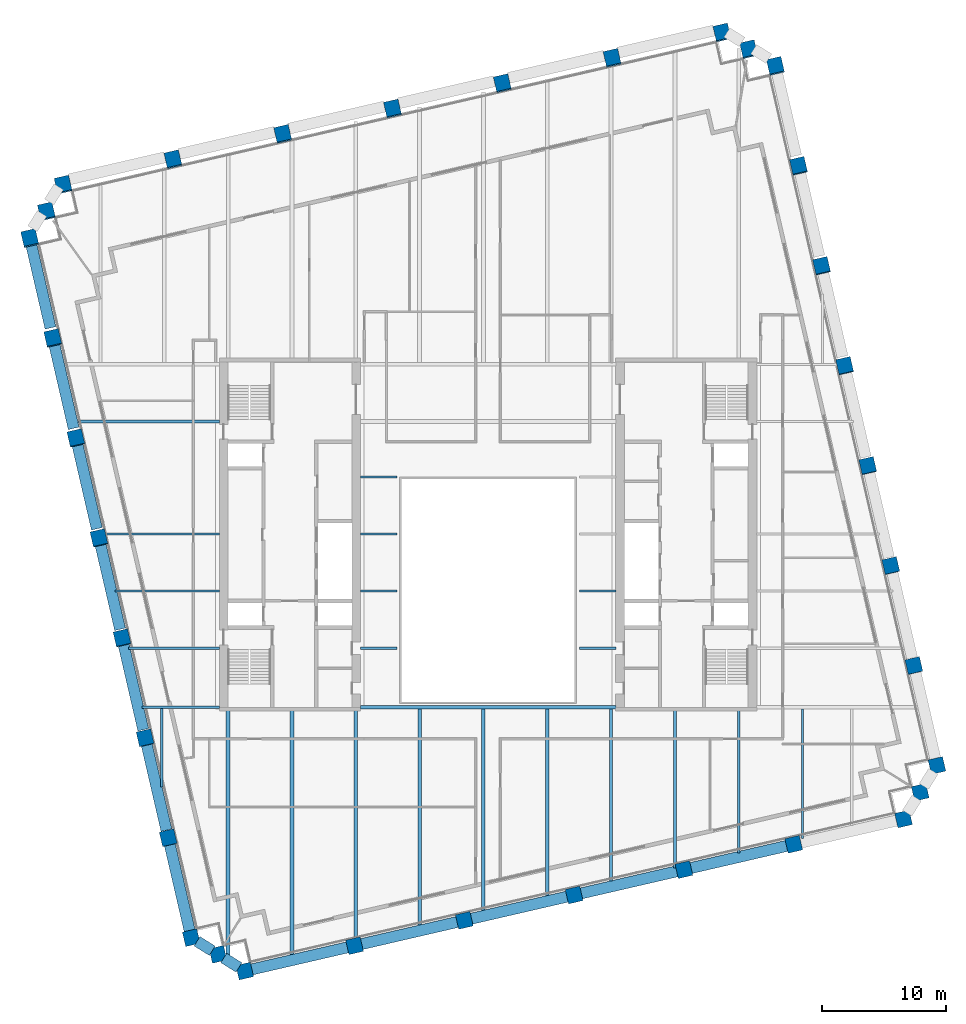
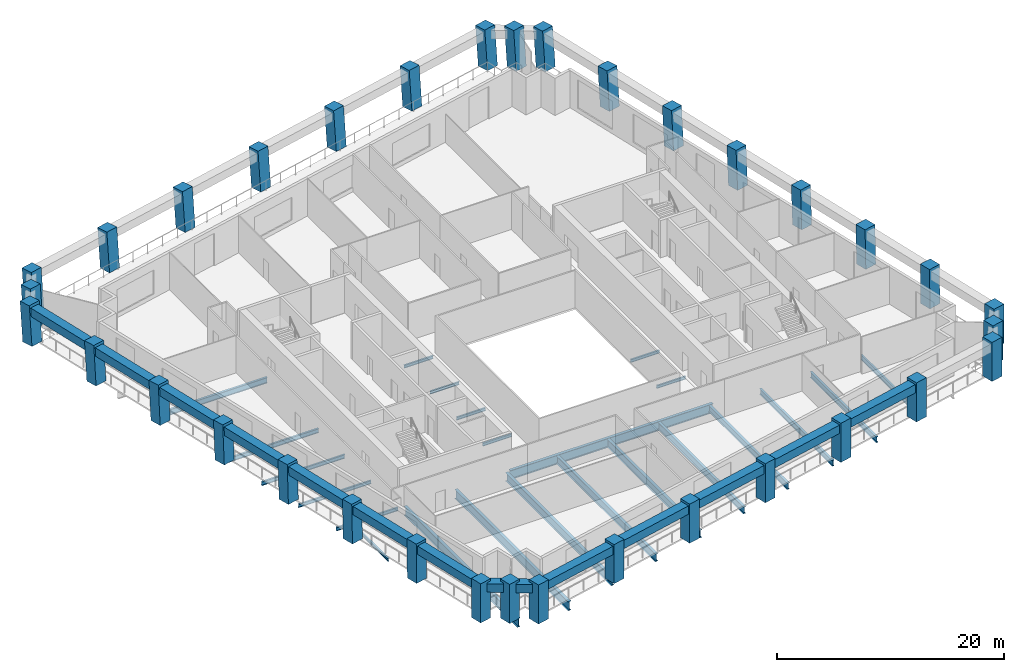
# One storey, part 1 of 10: 37 beams, 34 columns.
"""IFC4 building model written with IfcOpenShell, lengths in metres."""

from ifc_helpers import new_model, si_unit, direction, frame, origin, origin_2d, place, context, subcontext, project, spatial, rectangle, i_section, extrude, material, material_profile, profile_set, type_object, element, save


model = new_model("IFC4")

# Units and contexts
model_context = context("Model", 3, precision=1e-05, world=origin(), true_north=direction((0.0, 1.0)))
body_context = subcontext(model_context, "Body", "Model", "MODEL_VIEW")
ifc_project = project(units=[si_unit("LENGTHUNIT", "METRE"), si_unit("AREAUNIT", "SQUARE_METRE"), si_unit("VOLUMEUNIT", "CUBIC_METRE"), si_unit("PLANEANGLEUNIT", "RADIAN"), si_unit("MASSUNIT", "GRAM", prefix="KILO")], contexts=[model_context])

# Site, building, storey
site_placement = place(None, origin())
site = spatial("IfcSite", under=ifc_project, at=site_placement, CompositionType="ELEMENT")
building_placement = place(site_placement, origin())
building = spatial("IfcBuilding", under=site, at=building_placement, Name="Ogive Exchange Tower", CompositionType="ELEMENT")
storey_placement = place(building_placement, frame((0.0, 0.0, 205.199951171875)))
storey = spatial("IfcBuildingStorey", under=building, at=storey_placement, Name="L45", CompositionType="ELEMENT", Elevation=205.199951171875)

# Columns
ifc_material_1 = material(Name="Precast concrete C70/85 (limestone faced)", Category="masonry")
ifc_material_profile_1 = material_profile(ifc_material_1, rectangle(XDim=1.199951171875, YDim=1.199951171875, at=origin_2d()), Name="1200 x 1200")
ifc_profile_set_1 = profile_set([ifc_material_profile_1], Name="Precast concrete C70/85 (limestone faced)")
column_type = type_object("IfcColumnType", Name="Precast exoskeleton leg 1200 x 1200 C70/85", PredefinedType="COLUMN", material=ifc_profile_set_1)
for number, where, z_axis, x_axis, name in (
    (1, (-19.6494140625, -23.749267578125, 0.0), (0.0, 0.0, 1.0), (0.974370064785, 0.224951054344, 0.0), "Exoskeleton leg 1"),
    (2, (-10.782470703125, -21.7021484375, 0.0), (0.0, 0.0, 1.0), (0.974370064785, 0.224951054344, 0.0), "Exoskeleton leg 2"),
    (3, (-1.915771484375, -19.655029296875, 0.0), (0.0, 0.0, 1.0), (0.974370064785, 0.224951054344, 0.0), "Exoskeleton leg 3"),
    (4, (6.950927734375, -17.60791015625, 0.0), (0.0, 0.0, 1.0), (0.974370064785, 0.224951054344, 0.0), "Exoskeleton leg 4"),
    (5, (15.81787109375, -15.56103515625, 0.0), (0.0, 0.0, 1.0), (0.974370064785, 0.224951054344, 0.0), "Exoskeleton leg 5"),
    (6, (24.6845703125, -13.513916015625, 0.0), (0.0, 0.0, 1.0), (0.974370064785, 0.224951054344, 0.0), "Exoskeleton leg 6"),
    (7, (33.55126953125, -11.466796875, 0.0), (0.0, 0.0, 1.0), (0.974370064785, 0.224951054344, 0.0), "Exoskeleton leg 7"),
    (8, (36.249267578125, -7.1494140625, 0.0), (0.0, 0.0, 1.0), (0.974370064785, 0.224951054344, 0.0), "Exoskeleton leg 8"),
):
    element("IfcColumn", number, at=place(storey_placement, frame(where, z_axis=z_axis, x_axis=x_axis)), inside=storey, type_object=column_type, Name=name, PredefinedType="COLUMN", context=body_context, shape_type="SweptSolid", body=[
        extrude(rectangle(XDim=1.199951171875, YDim=1.199951171875, at=origin_2d()), origin(), (0.0, 0.0, 1.0), 4.199951171875),
    ])
column_1_placement = place(storey_placement, frame((34.3876953125, 0.9140625, 0.0), z_axis=(-0.002731884952, 0.01168316756, 0.999928017609), x_axis=(-0.973733900744, -0.227689021567, 0.0)))
element("IfcColumn", 9, at=column_1_placement, inside=storey, type_object=column_type, Name="Exoskeleton leg 9", PredefinedType="COLUMN", context=body_context, shape_type="SweptSolid", body=[
    extrude(rectangle(XDim=1.199951171875, YDim=1.199951171875, at=origin_2d()), origin(), (0.0, 0.0, 1.0), 4.2001953125),
])
column_2_placement = place(storey_placement, frame((32.526123046875, 8.977294921875, 0.0), z_axis=(-0.005404479485, 0.023361298418, 0.999712479335), x_axis=(-0.974268511785, -0.225390476607, 0.0)))
element("IfcColumn", 10, at=column_2_placement, inside=storey, type_object=column_type, Name="Exoskeleton leg 10", PredefinedType="COLUMN", context=body_context, shape_type="SweptSolid", body=[
    extrude(rectangle(XDim=1.199951171875, YDim=1.199951171875, at=origin_2d()), origin(), (0.0, 0.0, 1.0), 4.201171875),
])
column_3_placement = place(storey_placement, frame((30.66455078125, 17.04052734375, 0.0), z_axis=(-0.0080747472, 0.035087390713, 0.999351626541), x_axis=(-0.974526982896, -0.224270282488, 0.0)))
element("IfcColumn", 11, at=column_3_placement, inside=storey, type_object=column_type, Name="Exoskeleton leg 11", PredefinedType="COLUMN", context=body_context, shape_type="SweptSolid", body=[
    extrude(rectangle(XDim=1.199951171875, YDim=1.199951171875, at=origin_2d()), origin(), (0.0, 0.0, 1.0), 4.20263671875),
])
column_4_placement = place(storey_placement, frame((28.802978515625, 25.10400390625, 0.0), z_axis=(-0.010799648955, 0.046682353548, 0.998851403087), x_axis=(-0.974268511785, -0.225390476607, 0.0)))
element("IfcColumn", 12, at=column_4_placement, inside=storey, type_object=column_type, Name="Exoskeleton leg 12", PredefinedType="COLUMN", context=body_context, shape_type="SweptSolid", body=[
    extrude(rectangle(XDim=1.199951171875, YDim=1.199951171875, at=origin_2d()), origin(), (0.0, 0.0, 1.0), 4.204833984375),
])
column_5_placement = place(storey_placement, frame((26.94140625, 33.1669921875, 0.0), z_axis=(-0.013461754246, 0.058430976405, 0.998200682312), x_axis=(-0.974472679268, -0.224506118759, 0.0)))
element("IfcColumn", 13, at=column_5_placement, inside=storey, type_object=column_type, Name="Exoskeleton leg 13", PredefinedType="COLUMN", context=body_context, shape_type="SweptSolid", body=[
    extrude(rectangle(XDim=1.199951171875, YDim=1.199951171875, at=origin_2d()), origin(), (0.0, 0.0, 1.0), 4.20751953125),
])
column_6_placement = place(storey_placement, frame((25.079833984375, 41.23046875, 0.0), z_axis=(-0.016176212764, 0.069980963462, 0.99741716192), x_axis=(-0.974309502923, -0.225213215672, 0.0)))
element("IfcColumn", 14, at=column_6_placement, inside=storey, type_object=column_type, Name="Exoskeleton leg 14", PredefinedType="COLUMN", context=body_context, shape_type="SweptSolid", body=[
    extrude(rectangle(XDim=1.199951171875, YDim=1.199951171875, at=origin_2d()), origin(), (0.0, 0.0, 1.0), 4.2109375),
])
for number, where, z_axis, x_axis, name in (
    (15, (23.21826171875, 49.293701171875, 0.0), (-0.018825666958, 0.081616506903, 0.99648599592), (-0.974414501624, -0.224758490439, 0.0), "Exoskeleton leg 15"),
    (16, (18.900634765625, 51.99169921875, 0.0), (-0.018825755928, 0.08155896722, 0.996490705315), (-0.974379530941, -0.22491004798, 0.0), "Exoskeleton leg 16"),
    (17, (10.033935546875, 49.944580078125, 0.0), (-0.018825666958, 0.081616506903, 0.99648599592), (-0.974414501624, -0.224758490439, 0.0), "Exoskeleton leg 17"),
    (18, (1.167236328125, 47.8974609375, 0.0), (-0.018825666958, 0.081616506903, 0.99648599592), (-0.974414501624, -0.224758490439, 0.0), "Exoskeleton leg 18"),
    (19, (-7.69970703125, 45.8505859375, 0.0), (-0.018825755928, 0.08155896722, 0.996490705315), (-0.974379530941, -0.22491004798, 0.0), "Exoskeleton leg 19"),
    (20, (-16.56640625, 43.803466796875, 0.0), (-0.018825755928, 0.08155896722, 0.996490705315), (-0.974379530941, -0.22491004798, 0.0), "Exoskeleton leg 20"),
    (21, (-25.43310546875, 41.75634765625, 0.0), (-0.018825666958, 0.081616506903, 0.99648599592), (-0.974414501624, -0.224758490439, 0.0), "Exoskeleton leg 21"),
    (22, (-34.2998046875, 39.709228515625, 0.0), (-0.018883571463, 0.081616417765, 0.996484907603), (-0.974262845894, -0.225414966474, 0.0), "Exoskeleton leg 22"),
    (23, (-36.997802734375, 35.391845703125, 0.0), (-0.018825755928, 0.08155896722, 0.996490705315), (-0.974379530941, -0.22491004798, 0.0), "Exoskeleton leg 23"),
):
    element("IfcColumn", number, at=place(storey_placement, frame(where, z_axis=z_axis, x_axis=x_axis)), inside=storey, type_object=column_type, Name=name, PredefinedType="COLUMN", context=body_context, shape_type="SweptSolid", body=[
        extrude(rectangle(XDim=1.199951171875, YDim=1.199951171875, at=origin_2d()), origin(), (0.0, 0.0, 1.0), 4.21484375),
    ])
column_7_placement = place(storey_placement, frame((-35.13623046875, 27.32861328125, 0.0), z_axis=(-0.016176212764, 0.069980963462, 0.99741716192), x_axis=(-0.974309502923, -0.225213215672, 0.0)))
element("IfcColumn", 24, at=column_7_placement, inside=storey, type_object=column_type, Name="Exoskeleton leg 24", PredefinedType="COLUMN", context=body_context, shape_type="SweptSolid", body=[
    extrude(rectangle(XDim=1.199951171875, YDim=1.199951171875, at=origin_2d()), origin(), (0.0, 0.0, 1.0), 4.2109375),
])
column_8_placement = place(storey_placement, frame((-33.274658203125, 19.26513671875, 0.0), z_axis=(-0.013461799865, 0.058373149415, 0.998204064995), x_axis=(-0.974423835271, -0.224718021653, 0.0)))
element("IfcColumn", 25, at=column_8_placement, inside=storey, type_object=column_type, Name="Exoskeleton leg 25", PredefinedType="COLUMN", context=body_context, shape_type="SweptSolid", body=[
    extrude(rectangle(XDim=1.199951171875, YDim=1.199951171875, at=origin_2d()), origin(), (0.0, 0.0, 1.0), 4.20751953125),
])
column_9_placement = place(storey_placement, frame((-31.4130859375, 11.201904296875, 0.0), z_axis=(-0.010799619665, 0.046740289408, 0.998848694028), x_axis=(-0.974329962248, -0.225124686929, 0.0)))
element("IfcColumn", 26, at=column_9_placement, inside=storey, type_object=column_type, Name="Exoskeleton leg 26", PredefinedType="COLUMN", context=body_context, shape_type="SweptSolid", body=[
    extrude(rectangle(XDim=1.199951171875, YDim=1.199951171875, at=origin_2d()), origin(), (0.0, 0.0, 1.0), 4.204833984375),
])
column_10_placement = place(storey_placement, frame((-29.551513671875, 3.138671875, 0.0), z_axis=(-0.008132851642, 0.035029353857, 0.999353191366), x_axis=(-0.974090845759, -0.226157078617, 0.0)))
element("IfcColumn", 27, at=column_10_placement, inside=storey, type_object=column_type, Name="Exoskeleton leg 27", PredefinedType="COLUMN", context=body_context, shape_type="SweptSolid", body=[
    extrude(rectangle(XDim=1.199951171875, YDim=1.199951171875, at=origin_2d()), origin(), (0.0, 0.0, 1.0), 4.20263671875),
])
column_11_placement = place(storey_placement, frame((-27.68994140625, -4.9248046875, 0.0), z_axis=(-0.005404472139, 0.023419379268, 0.999711120452), x_axis=(-0.974391195695, -0.224859506699, 0.0)))
element("IfcColumn", 28, at=column_11_placement, inside=storey, type_object=column_type, Name="Exoskeleton leg 28", PredefinedType="COLUMN", context=body_context, shape_type="SweptSolid", body=[
    extrude(rectangle(XDim=1.199951171875, YDim=1.199951171875, at=origin_2d()), origin(), (0.0, 0.0, 1.0), 4.201171875),
])
column_12_placement = place(storey_placement, frame((-25.828369140625, -12.988037109375, 0.0), z_axis=(-0.002731884952, 0.01168316756, 0.999928017609), x_axis=(-0.973733900744, -0.227689021567, 0.0)))
element("IfcColumn", 29, at=column_12_placement, inside=storey, type_object=column_type, Name="Exoskeleton leg 29", PredefinedType="COLUMN", context=body_context, shape_type="SweptSolid", body=[
    extrude(rectangle(XDim=1.199951171875, YDim=1.199951171875, at=origin_2d()), origin(), (0.0, 0.0, 1.0), 4.2001953125),
])
for number, where, z_axis, x_axis, name in (
    (30, (-23.966796875, -21.05126953125, 0.0), (0.0, 0.0, 1.0), (0.974370064785, 0.224951054344, 0.0), "Exoskeleton leg 30"),
    (31, (34.900146484375, -9.30810546875, 0.0), (0.0, 0.0, 1.0), (0.974370064785, 0.224951054344, 0.0), "Exoskeleton leg 31"),
):
    element("IfcColumn", number, at=place(storey_placement, frame(where, z_axis=z_axis, x_axis=x_axis)), inside=storey, type_object=column_type, Name=name, PredefinedType="COLUMN", context=body_context, shape_type="SweptSolid", body=[
        extrude(rectangle(XDim=1.199951171875, YDim=1.199951171875, at=origin_2d()), origin(), (0.0, 0.0, 1.0), 4.199951171875),
    ])
for number, where, z_axis, x_axis, name in (
    (32, (21.0595703125, 50.642578125, 0.0), (-0.018883571463, 0.081616417765, 0.996484907603), (-0.974262845894, -0.225414966474, 0.0), "Exoskeleton leg 32"),
    (33, (-35.648681640625, 37.550537109375, 0.0), (-0.018883660707, 0.081558878144, 0.996489616983), (-0.974227676113, -0.225566919327, 0.0), "Exoskeleton leg 33"),
):
    element("IfcColumn", number, at=place(storey_placement, frame(where, z_axis=z_axis, x_axis=x_axis)), inside=storey, type_object=column_type, Name=name, PredefinedType="COLUMN", context=body_context, shape_type="SweptSolid", body=[
        extrude(rectangle(XDim=1.199951171875, YDim=1.199951171875, at=origin_2d()), origin(), (0.0, 0.0, 1.0), 4.21484375),
    ])
column_13_placement = place(storey_placement, frame((-21.80810546875, -22.400146484375, 0.0), z_axis=(0.0, 0.0, 1.0), x_axis=(0.974370064785, 0.224951054344, 0.0)))
element("IfcColumn", 34, at=column_13_placement, inside=storey, type_object=column_type, Name="Exoskeleton leg 34", PredefinedType="COLUMN", context=body_context, shape_type="SweptSolid", body=[
    extrude(rectangle(XDim=1.199951171875, YDim=1.199951171875, at=origin_2d()), origin(), (0.0, 0.0, 1.0), 4.199951171875),
])

# Beams
ifc_material_2 = material(Name="Steel ASTM A992 Gr50", Category="steel")
ifc_material_profile_2 = material_profile(ifc_material_2, i_section(OverallWidth=0.300048828125, OverallDepth=0.969970703125, WebThickness=0.01611328125, FlangeThickness=0.02099609375, at=origin_2d()), Name="W1000x222")
ifc_profile_set_2 = profile_set([ifc_material_profile_2], Name="Steel ASTM A992 Gr50")
beam_type_1 = type_object("IfcBeamType", Name="Floor beam W1000x222", PredefinedType="JOIST", material=ifc_profile_set_2)
beam_1_placement = place(storey_placement, frame((-20.99365234375, -22.528564453125, -0.68505859375), z_axis=(0.0, 1.0, 0.0), x_axis=(-1.0, 0.0, 0.0)))
element("IfcBeam", 35, at=beam_1_placement, inside=storey, type_object=beam_type_1, Name="Floor beam", PredefinedType="JOIST", context=body_context, shape_type="SweptSolid", body=[
    extrude(i_section(OverallWidth=0.300048828125, OverallDepth=0.969970703125, WebThickness=0.01611328125, FlangeThickness=0.02099609375, at=origin_2d()), origin(), (0.0, 0.0, 1.0), 19.928466796875),
])
beam_2_placement = place(storey_placement, frame((-15.8388671875, -22.5576171875, -0.68505859375), z_axis=(0.0, 1.0, 0.0), x_axis=(-1.0, 0.0, 0.0)))
element("IfcBeam", 36, at=beam_2_placement, inside=storey, type_object=beam_type_1, Name="Floor beam", PredefinedType="JOIST", context=body_context, shape_type="SweptSolid", body=[
    extrude(i_section(OverallWidth=0.300048828125, OverallDepth=0.969970703125, WebThickness=0.01611328125, FlangeThickness=0.02099609375, at=origin_2d()), origin(), (0.0, 0.0, 1.0), 19.95751953125),
])
ifc_material_profile_3 = material_profile(ifc_material_2, i_section(OverallWidth=0.1650390625, OverallDepth=0.31005859375, WebThickness=0.005859375, FlangeThickness=0.009765625, at=origin_2d()), Name="W310x38.7")
ifc_profile_set_3 = profile_set([ifc_material_profile_3], Name="Steel ASTM A992 Gr50")
beam_type_2 = type_object("IfcBeamType", Name="Floor beam W310x38.7", PredefinedType="JOIST", material=ifc_profile_set_3)
for number, where, z_axis, x_axis, name in (
    (37, (-10.320068359375, 2.3212890625, -0.35498046875), (1.0, 0.0, 0.0), (0.0, 1.0, 0.0), "Floor beam"),
    (38, (7.3701171875, 2.3212890625, -0.35498046875), (1.0, 0.0, 0.0), (0.0, 1.0, 0.0), "Floor beam"),
    (39, (-10.320068359375, 6.9326171875, -0.35498046875), (1.0, 0.0, 0.0), (0.0, 1.0, 0.0), "Floor beam"),
    (40, (7.3701171875, 6.9326171875, -0.35498046875), (1.0, 0.0, 0.0), (0.0, 1.0, 0.0), "Floor beam"),
    (41, (-10.320068359375, 11.543701171875, -0.35498046875), (1.0, 0.0, 0.0), (0.0, 1.0, 0.0), "Floor beam"),
):
    element("IfcBeam", number, at=place(storey_placement, frame(where, z_axis=z_axis, x_axis=x_axis)), inside=storey, type_object=beam_type_2, Name=name, PredefinedType="JOIST", context=body_context, shape_type="SweptSolid", body=[
        extrude(i_section(OverallWidth=0.1650390625, OverallDepth=0.31005859375, WebThickness=0.005859375, FlangeThickness=0.009765625, at=origin_2d()), origin(), (0.0, 0.0, 1.0), 2.949951171875),
    ])
beam_3_placement = place(storey_placement, frame((-26.348388671875, -8.88525390625, -0.35498046875), z_axis=(0.0, 1.0, 0.0), x_axis=(-1.0, 0.0, 0.0)))
element("IfcBeam", 42, at=beam_3_placement, inside=storey, type_object=beam_type_2, Name="Floor beam", PredefinedType="JOIST", context=body_context, shape_type="SweptSolid", body=[
    extrude(i_section(OverallWidth=0.1650390625, OverallDepth=0.31005859375, WebThickness=0.005859375, FlangeThickness=0.009765625, at=origin_2d()), origin(), (0.0, 0.0, 1.0), 6.354736328125),
])
ifc_material_profile_4 = material_profile(ifc_material_2, i_section(OverallWidth=0.1708984375, OverallDepth=0.35595703125, WebThickness=0.00732421875, FlangeThickness=0.01171875, at=origin_2d()), Name="W360x51")
ifc_profile_set_4 = profile_set([ifc_material_profile_4], Name="Steel ASTM A992 Gr50")
beam_type_3 = type_object("IfcBeamType", Name="Floor beam W360x51", PredefinedType="JOIST", material=ifc_profile_set_4)
beam_4_placement = place(storey_placement, frame((-29.051025390625, 2.3212890625, -0.3779296875), z_axis=(1.0, 0.0, 0.0), x_axis=(0.0, 1.0, 0.0)))
element("IfcBeam", 43, at=beam_4_placement, inside=storey, type_object=beam_type_3, Name="Floor beam", PredefinedType="JOIST", context=body_context, shape_type="SweptSolid", body=[
    extrude(i_section(OverallWidth=0.1708984375, OverallDepth=0.35595703125, WebThickness=0.00732421875, FlangeThickness=0.01171875, at=origin_2d()), origin(), (0.0, 0.0, 1.0), 7.37109375),
])
ifc_material_profile_5 = material_profile(ifc_material_2, i_section(OverallWidth=0.177978515625, OverallDepth=0.406005859375, WebThickness=0.0078125, FlangeThickness=0.0126953125, at=origin_2d()), Name="W410x60")
ifc_profile_set_5 = profile_set([ifc_material_profile_5], Name="Steel ASTM A992 Gr50")
beam_type_4 = type_object("IfcBeamType", Name="Floor beam W410x60", PredefinedType="JOIST", material=ifc_profile_set_5)
beam_5_placement = place(storey_placement, frame((-30.115478515625, 6.9326171875, -0.40283203125), z_axis=(1.0, 0.0, 0.0), x_axis=(0.0, 1.0, 0.0)))
element("IfcBeam", 44, at=beam_5_placement, inside=storey, type_object=beam_type_4, Name="Floor beam", PredefinedType="JOIST", context=body_context, shape_type="SweptSolid", body=[
    extrude(i_section(OverallWidth=0.177978515625, OverallDepth=0.406005859375, WebThickness=0.0078125, FlangeThickness=0.0126953125, at=origin_2d()), origin(), (0.0, 0.0, 1.0), 8.435546875),
])
ifc_material_profile_6 = material_profile(ifc_material_2, i_section(OverallWidth=0.19091796875, OverallDepth=0.45703125, WebThickness=0.009033203125, FlangeThickness=0.014404296875, at=origin_2d()), Name="W460x74")
ifc_profile_set_6 = profile_set([ifc_material_profile_6], Name="Steel ASTM A992 Gr50")
beam_type_5 = type_object("IfcBeamType", Name="Floor beam W460x74", PredefinedType="JOIST", material=ifc_profile_set_6)
beam_6_placement = place(storey_placement, frame((-31.0302734375, 11.543701171875, -0.428466796875), z_axis=(1.0, 0.0, 0.0), x_axis=(0.0, 1.0, 0.0)))
element("IfcBeam", 45, at=beam_6_placement, inside=storey, type_object=beam_type_5, Name="Floor beam", PredefinedType="JOIST", context=body_context, shape_type="SweptSolid", body=[
    extrude(i_section(OverallWidth=0.19091796875, OverallDepth=0.45703125, WebThickness=0.009033203125, FlangeThickness=0.014404296875, at=origin_2d()), origin(), (0.0, 0.0, 1.0), 9.350341796875),
])
ifc_material_profile_7 = material_profile(ifc_material_2, i_section(OverallWidth=0.1669921875, OverallDepth=0.535888671875, WebThickness=0.01025390625, FlangeThickness=0.0166015625, at=origin_2d()), Name="W530x85")
ifc_profile_set_7 = profile_set([ifc_material_profile_7], Name="Steel ASTM A992 Gr50")
beam_type_6 = type_object("IfcBeamType", Name="Floor beam W530x85", PredefinedType="JOIST", material=ifc_profile_set_7)
beam_7_placement = place(storey_placement, frame((25.39990234375, -13.037109375, -0.468017578125), z_axis=(0.0, 1.0, 0.0), x_axis=(-1.0, 0.0, 0.0)))
element("IfcBeam", 46, at=beam_7_placement, inside=storey, type_object=beam_type_6, Name="Floor beam", PredefinedType="JOIST", context=body_context, shape_type="SweptSolid", body=[
    extrude(i_section(OverallWidth=0.1669921875, OverallDepth=0.535888671875, WebThickness=0.01025390625, FlangeThickness=0.0166015625, at=origin_2d()), origin(), (0.0, 0.0, 1.0), 10.45849609375),
])
ifc_material_profile_8 = material_profile(ifc_material_2, i_section(OverallWidth=0.22802734375, OverallDepth=0.60205078125, WebThickness=0.010498046875, FlangeThickness=0.014892578125, at=origin_2d()), Name="W610x101")
ifc_profile_set_8 = profile_set([ifc_material_profile_8], Name="Steel ASTM A992 Gr50")
beam_type_7 = type_object("IfcBeamType", Name="Floor beam W610x101", PredefinedType="JOIST", material=ifc_profile_set_8)
beam_8_placement = place(storey_placement, frame((-33.126220703125, 20.62255859375, -0.5009765625), z_axis=(1.0, 0.0, 0.0), x_axis=(0.0, 1.0, 0.0)))
element("IfcBeam", 47, at=beam_8_placement, inside=storey, type_object=beam_type_7, Name="Floor beam", PredefinedType="JOIST", context=body_context, shape_type="SweptSolid", body=[
    extrude(i_section(OverallWidth=0.22802734375, OverallDepth=0.60205078125, WebThickness=0.010498046875, FlangeThickness=0.014892578125, at=origin_2d()), origin(), (0.0, 0.0, 1.0), 11.4462890625),
])
beam_9_placement = place(storey_placement, frame((20.2451171875, -14.22705078125, -0.5009765625), z_axis=(0.0, 1.0, 0.0), x_axis=(-1.0, 0.0, 0.0)))
element("IfcBeam", 48, at=beam_9_placement, inside=storey, type_object=beam_type_7, Name="Floor beam", PredefinedType="JOIST", context=body_context, shape_type="SweptSolid", body=[
    extrude(i_section(OverallWidth=0.22802734375, OverallDepth=0.60205078125, WebThickness=0.010498046875, FlangeThickness=0.014892578125, at=origin_2d()), origin(), (0.0, 0.0, 1.0), 11.626953125),
])
ifc_material_profile_9 = material_profile(ifc_material_2, i_section(OverallWidth=0.22900390625, OverallDepth=0.612060546875, WebThickness=0.011962890625, FlangeThickness=0.01953125, at=origin_2d()), Name="W610x125")
ifc_profile_set_9 = profile_set([ifc_material_profile_9], Name="Steel ASTM A992 Gr50")
beam_type_8 = type_object("IfcBeamType", Name="Floor beam W610x125", PredefinedType="JOIST", material=ifc_profile_set_9)
beam_10_placement = place(storey_placement, frame((15.090087890625, -15.4169921875, -0.505859375), z_axis=(0.0, 1.0, 0.0), x_axis=(-1.0, 0.0, 0.0)))
element("IfcBeam", 49, at=beam_10_placement, inside=storey, type_object=beam_type_8, Name="Floor beam", PredefinedType="JOIST", context=body_context, shape_type="SweptSolid", body=[
    extrude(i_section(OverallWidth=0.22900390625, OverallDepth=0.612060546875, WebThickness=0.011962890625, FlangeThickness=0.01953125, at=origin_2d()), origin(), (0.0, 0.0, 1.0), 12.81689453125),
])
ifc_material_profile_10 = material_profile(ifc_material_2, i_section(OverallWidth=0.25390625, OverallDepth=0.677978515625, WebThickness=0.01171875, FlangeThickness=0.016357421875, at=origin_2d()), Name="W690x125")
ifc_profile_set_10 = profile_set([ifc_material_profile_10], Name="Steel ASTM A992 Gr50")
beam_type_9 = type_object("IfcBeamType", Name="Floor beam W690x125", PredefinedType="JOIST", material=ifc_profile_set_10)
beam_11_placement = place(storey_placement, frame((9.935302734375, -16.457275390625, -0.5390625), z_axis=(0.0, 1.0, 0.0), x_axis=(-1.0, 0.0, 0.0)))
element("IfcBeam", 50, at=beam_11_placement, inside=storey, type_object=beam_type_9, Name="Floor beam", PredefinedType="JOIST", context=body_context, shape_type="SweptSolid", body=[
    extrude(i_section(OverallWidth=0.25390625, OverallDepth=0.677978515625, WebThickness=0.01171875, FlangeThickness=0.016357421875, at=origin_2d()), origin(), (0.0, 0.0, 1.0), 13.8623046875),
])
ifc_material_profile_11 = material_profile(ifc_material_2, i_section(OverallWidth=0.26708984375, OverallDepth=0.75390625, WebThickness=0.01318359375, FlangeThickness=0.01708984375, at=origin_2d()), Name="W760x147")
ifc_profile_set_11 = profile_set([ifc_material_profile_11], Name="Steel ASTM A992 Gr50")
beam_type_10 = type_object("IfcBeamType", Name="Floor beam W760x147", PredefinedType="JOIST", material=ifc_profile_set_11)
beam_12_placement = place(storey_placement, frame((4.780517578125, -17.647216796875, -0.576904296875), z_axis=(0.0, 1.0, 0.0), x_axis=(-1.0, 0.0, 0.0)))
element("IfcBeam", 51, at=beam_12_placement, inside=storey, type_object=beam_type_10, Name="Floor beam", PredefinedType="JOIST", context=body_context, shape_type="SweptSolid", body=[
    extrude(i_section(OverallWidth=0.26708984375, OverallDepth=0.75390625, WebThickness=0.01318359375, FlangeThickness=0.01708984375, at=origin_2d()), origin(), (0.0, 0.0, 1.0), 15.05224609375),
])
ifc_material_profile_12 = material_profile(ifc_material_2, i_section(OverallWidth=0.2919921875, OverallDepth=0.8359375, WebThickness=0.013916015625, FlangeThickness=0.018798828125, at=origin_2d()), Name="W840x176")
ifc_profile_set_12 = profile_set([ifc_material_profile_12], Name="Steel ASTM A992 Gr50")
beam_type_11 = type_object("IfcBeamType", Name="Floor beam W840x176", PredefinedType="JOIST", material=ifc_profile_set_12)
beam_13_placement = place(storey_placement, frame((-5.529052734375, -20.027587890625, -0.617919921875), z_axis=(0.0, 1.0, 0.0), x_axis=(-1.0, 0.0, 0.0)))
element("IfcBeam", 52, at=beam_13_placement, inside=storey, type_object=beam_type_11, Name="Floor beam", PredefinedType="JOIST", context=body_context, shape_type="SweptSolid", body=[
    extrude(i_section(OverallWidth=0.2919921875, OverallDepth=0.8359375, WebThickness=0.013916015625, FlangeThickness=0.018798828125, at=origin_2d()), origin(), (0.0, 0.0, 1.0), 17.4326171875),
])
beam_14_placement = place(storey_placement, frame((-0.374267578125, -18.83740234375, -0.617919921875), z_axis=(0.0, 1.0, 0.0), x_axis=(-1.0, 0.0, 0.0)))
element("IfcBeam", 53, at=beam_14_placement, inside=storey, type_object=beam_type_11, Name="Floor beam", PredefinedType="JOIST", context=body_context, shape_type="SweptSolid", body=[
    extrude(i_section(OverallWidth=0.2919921875, OverallDepth=0.8359375, WebThickness=0.013916015625, FlangeThickness=0.018798828125, at=origin_2d()), origin(), (0.0, 0.0, 1.0), 16.242431640625),
])
ifc_material_profile_13 = material_profile(ifc_material_2, i_section(OverallWidth=0.304931640625, OverallDepth=0.904052734375, WebThickness=0.01513671875, FlangeThickness=0.02001953125, at=origin_2d()), Name="W920x201")
ifc_profile_set_13 = profile_set([ifc_material_profile_13], Name="Steel ASTM A992 Gr50")
beam_type_12 = type_object("IfcBeamType", Name="Floor beam W920x201", PredefinedType="JOIST", material=ifc_profile_set_13)
beam_15_placement = place(storey_placement, frame((-10.683837890625, -21.217529296875, -0.65185546875), z_axis=(0.0, 1.0, 0.0), x_axis=(-1.0, 0.0, 0.0)))
element("IfcBeam", 54, at=beam_15_placement, inside=storey, type_object=beam_type_12, Name="Floor beam", PredefinedType="JOIST", context=body_context, shape_type="SweptSolid", body=[
    extrude(i_section(OverallWidth=0.304931640625, OverallDepth=0.904052734375, WebThickness=0.01513671875, FlangeThickness=0.02001953125, at=origin_2d()), origin(), (0.0, 0.0, 1.0), 18.617431640625),
])
ifc_material_profile_14 = material_profile(ifc_material_2, i_section(OverallWidth=0.300048828125, OverallDepth=0.97998046875, WebThickness=0.0166015625, FlangeThickness=0.026123046875, at=origin_2d()), Name="W1000x249")
ifc_profile_set_14 = profile_set([ifc_material_profile_14], Name="Steel ASTM A992 Gr50")
beam_type_13 = type_object("IfcBeamType", Name="Girder W1000x249", PredefinedType="BEAM", material=ifc_profile_set_14)
beam_16_placement = place(storey_placement, frame((-10.320068359375, -2.445068359375, -0.68994140625), z_axis=(1.0, 0.0, 0.0), x_axis=(0.0, 1.0, 0.0)))
element("IfcBeam", 55, at=beam_16_placement, inside=storey, type_object=beam_type_13, Name="Header girder", PredefinedType="BEAM", context=body_context, shape_type="SweptSolid", body=[
    extrude(i_section(OverallWidth=0.300048828125, OverallDepth=0.97998046875, WebThickness=0.0166015625, FlangeThickness=0.026123046875, at=origin_2d()), origin(), (0.0, 0.0, 1.0), 20.64013671875),
])
ifc_material_profile_15 = material_profile(ifc_material_2, i_section(OverallWidth=0.1650390625, OverallDepth=0.31005859375, WebThickness=0.005859375, FlangeThickness=0.009765625, at=origin_2d()), Name="W310x38.7")
ifc_profile_set_15 = profile_set([ifc_material_profile_15], Name="Steel ASTM A992 Gr50")
beam_type_14 = type_object("IfcBeamType", Name="Girder W310x38.7", PredefinedType="BEAM", material=ifc_profile_set_15)
beam_17_placement = place(storey_placement, frame((-10.320068359375, 16.155029296875, -0.35498046875), z_axis=(1.0, 0.0, 0.0), x_axis=(0.0, 1.0, 0.0)))
element("IfcBeam", 56, at=beam_17_placement, inside=storey, type_object=beam_type_14, Name="Trimmer girder", PredefinedType="BEAM", context=body_context, shape_type="SweptSolid", body=[
    extrude(i_section(OverallWidth=0.1650390625, OverallDepth=0.31005859375, WebThickness=0.005859375, FlangeThickness=0.009765625, at=origin_2d()), origin(), (0.0, 0.0, 1.0), 2.949951171875),
])
ifc_material_profile_16 = material_profile(ifc_material_2, i_section(OverallWidth=0.1708984375, OverallDepth=0.35595703125, WebThickness=0.00732421875, FlangeThickness=0.01171875, at=origin_2d()), Name="W360x51")
ifc_profile_set_16 = profile_set([ifc_material_profile_16], Name="Steel ASTM A992 Gr50")
beam_type_15 = type_object("IfcBeamType", Name="Girder W360x51", PredefinedType="BEAM", material=ifc_profile_set_16)
beam_18_placement = place(storey_placement, frame((-27.95068359375, -2.445068359375, -0.3779296875), z_axis=(1.0, 0.0, 0.0), x_axis=(0.0, 1.0, 0.0)))
element("IfcBeam", 57, at=beam_18_placement, inside=storey, type_object=beam_type_15, Name="Header girder", PredefinedType="BEAM", context=body_context, shape_type="SweptSolid", body=[
    extrude(i_section(OverallWidth=0.1708984375, OverallDepth=0.35595703125, WebThickness=0.00732421875, FlangeThickness=0.01171875, at=origin_2d()), origin(), (0.0, 0.0, 1.0), 6.270751953125),
])
ifc_material_profile_17 = material_profile(ifc_material_1, rectangle(XDim=0.89990234375, YDim=0.89990234375, at=origin_2d()), Name="900 x 900")
ifc_profile_set_17 = profile_set([ifc_material_profile_17], Name="Precast concrete C70/85 (limestone faced)")
beam_type_16 = type_object("IfcBeamType", Name="Precast spandrel 900 x 900 C70/85", PredefinedType="SPANDREL", material=ifc_profile_set_17)
beam_19_placement = place(storey_placement, frame((-19.084228515625, -23.61865234375, 3.5), z_axis=(0.974369944206, 0.224951576629, 0.0), x_axis=(-0.224951576629, 0.974369944206, 0.0)))
element("IfcBeam", 58, at=beam_19_placement, inside=storey, type_object=beam_type_16, Name="Spandrel 1", PredefinedType="SPANDREL", context=body_context, shape_type="SweptSolid", body=[
    extrude(rectangle(XDim=0.89990234375, YDim=0.89990234375, at=origin_2d()), origin(), (0.0, 0.0, 1.0), 7.940185546875),
])
beam_20_placement = place(storey_placement, frame((-10.21728515625, -21.57177734375, 3.5), z_axis=(0.974368388194, 0.224958316335, 0.0), x_axis=(-0.224958316335, 0.974368388194, 0.0)))
element("IfcBeam", 59, at=beam_20_placement, inside=storey, type_object=beam_type_16, Name="Spandrel 2", PredefinedType="SPANDREL", context=body_context, shape_type="SweptSolid", body=[
    extrude(rectangle(XDim=0.89990234375, YDim=0.89990234375, at=origin_2d()), origin(), (0.0, 0.0, 1.0), 7.93994140625),
])
for number, where, z_axis, x_axis, name in (
    (60, (-1.3505859375, -19.524658203125, 3.5), (0.974369944206, 0.224951576629, 0.0), (-0.224951576629, 0.974369944206, 0.0), "Spandrel 3"),
    (61, (7.51611328125, -17.4775390625, 3.5), (0.974369944206, 0.224951576629, 0.0), (-0.224951576629, 0.974369944206, 0.0), "Spandrel 4"),
    (62, (16.3828125, -15.430419921875, 3.5), (0.974369944206, 0.224951576629, 0.0), (-0.224951576629, 0.974369944206, 0.0), "Spandrel 5"),
):
    element("IfcBeam", number, at=place(storey_placement, frame(where, z_axis=z_axis, x_axis=x_axis)), inside=storey, type_object=beam_type_16, Name=name, PredefinedType="SPANDREL", context=body_context, shape_type="SweptSolid", body=[
        extrude(rectangle(XDim=0.89990234375, YDim=0.89990234375, at=origin_2d()), origin(), (0.0, 0.0, 1.0), 7.940185546875),
    ])
beam_21_placement = place(storey_placement, frame((-36.94677734375, 35.17041015625, 3.5), z_axis=(0.224971480462, -0.974365348819, 0.0), x_axis=(0.974365348819, 0.224971480462, 0.0)))
element("IfcBeam", 63, at=beam_21_placement, inside=storey, type_object=beam_type_16, Name="Spandrel 26", PredefinedType="SPANDREL", context=body_context, shape_type="SweptSolid", body=[
    extrude(rectangle(XDim=0.89990234375, YDim=0.89990234375, at=origin_2d()), origin(), (0.0, 0.0, 1.0), 7.16552734375),
])
beam_22_placement = place(storey_placement, frame((-35.07373046875, 27.05810546875, 3.5), z_axis=(0.224931666066, -0.974374540719, 0.0), x_axis=(0.974374540719, 0.224931666066, 0.0)))
element("IfcBeam", 64, at=beam_22_placement, inside=storey, type_object=beam_type_16, Name="Spandrel 27", PredefinedType="SPANDREL", context=body_context, shape_type="SweptSolid", body=[
    extrude(rectangle(XDim=0.89990234375, YDim=0.89990234375, at=origin_2d()), origin(), (0.0, 0.0, 1.0), 7.165771484375),
])
beam_23_placement = place(storey_placement, frame((-33.200927734375, 18.94580078125, 3.5), z_axis=(0.224956544356, -0.9743687973, 0.0), x_axis=(0.9743687973, 0.224956544356, 0.0)))
element("IfcBeam", 65, at=beam_23_placement, inside=storey, type_object=beam_type_16, Name="Spandrel 28", PredefinedType="SPANDREL", context=body_context, shape_type="SweptSolid", body=[
    extrude(rectangle(XDim=0.89990234375, YDim=0.89990234375, at=origin_2d()), origin(), (0.0, 0.0, 1.0), 7.166015625),
])
beam_24_placement = place(storey_placement, frame((-31.327880859375, 10.833251953125, 3.5), z_axis=(0.224931666066, -0.974374540719, 0.0), x_axis=(0.974374540719, 0.224931666066, 0.0)))
element("IfcBeam", 66, at=beam_24_placement, inside=storey, type_object=beam_type_16, Name="Spandrel 29", PredefinedType="SPANDREL", context=body_context, shape_type="SweptSolid", body=[
    extrude(rectangle(XDim=0.89990234375, YDim=0.89990234375, at=origin_2d()), origin(), (0.0, 0.0, 1.0), 7.165771484375),
])
beam_25_placement = place(storey_placement, frame((-29.455078125, 2.720703125, 3.5), z_axis=(0.224971480462, -0.974365348819, 0.0), x_axis=(0.974365348819, 0.224971480462, 0.0)))
element("IfcBeam", 67, at=beam_25_placement, inside=storey, type_object=beam_type_16, Name="Spandrel 30", PredefinedType="SPANDREL", context=body_context, shape_type="SweptSolid", body=[
    extrude(rectangle(XDim=0.89990234375, YDim=0.89990234375, at=origin_2d()), origin(), (0.0, 0.0, 1.0), 7.16552734375),
])
for number, where, z_axis, x_axis, name in (
    (68, (-27.582275390625, -5.3916015625, 3.5), (0.224964012167, -0.974367073145, 0.0), (0.974367073145, 0.224964012167, 0.0), "Spandrel 31"),
    (69, (-25.709228515625, -13.50390625, 3.5), (0.224931666066, -0.974374540719, 0.0), (0.974374540719, 0.224931666066, 0.0), "Spandrel 32"),
):
    element("IfcBeam", number, at=place(storey_placement, frame(where, z_axis=z_axis, x_axis=x_axis)), inside=storey, type_object=beam_type_16, Name=name, PredefinedType="SPANDREL", context=body_context, shape_type="SweptSolid", body=[
        extrude(rectangle(XDim=0.89990234375, YDim=0.89990234375, at=origin_2d()), origin(), (0.0, 0.0, 1.0), 7.165771484375),
    ])
for number, where, z_axis, x_axis, name in (
    (70, (-23.501708984375, -21.342041015625, 3.5), (0.848074041941, -0.529877740036, 0.0), (0.529877740036, 0.848074041941, 0.0), "Spandrel 33"),
    (71, (-21.343017578125, -22.69091796875, 3.5), (0.848074041941, -0.529877740036, 0.0), (0.529877740036, 0.848074041941, 0.0), "Spandrel 34"),
):
    element("IfcBeam", number, at=place(storey_placement, frame(where, z_axis=z_axis, x_axis=x_axis)), inside=storey, type_object=beam_type_16, Name=name, PredefinedType="SPANDREL", context=body_context, shape_type="SweptSolid", body=[
        extrude(rectangle(XDim=0.89990234375, YDim=0.89990234375, at=origin_2d()), origin(), (0.0, 0.0, 1.0), 1.448486328125),
    ])

save(model, "model.ifc")
